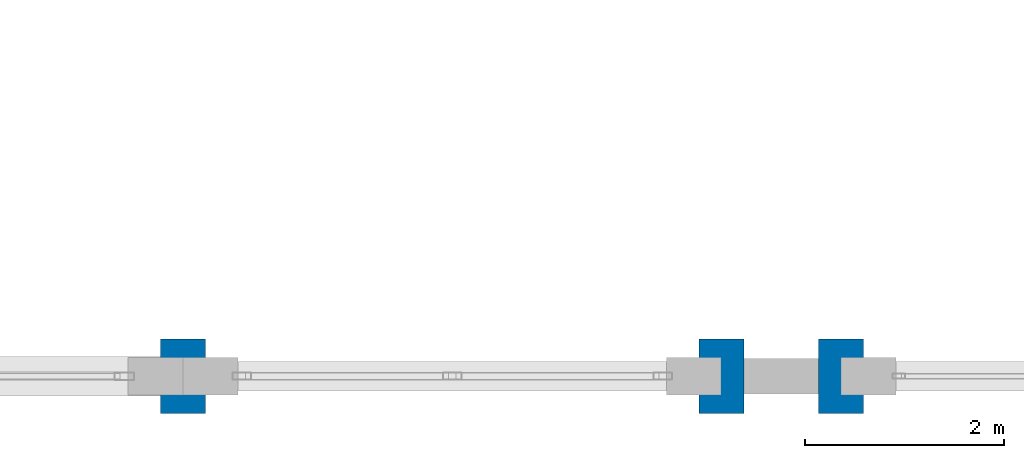
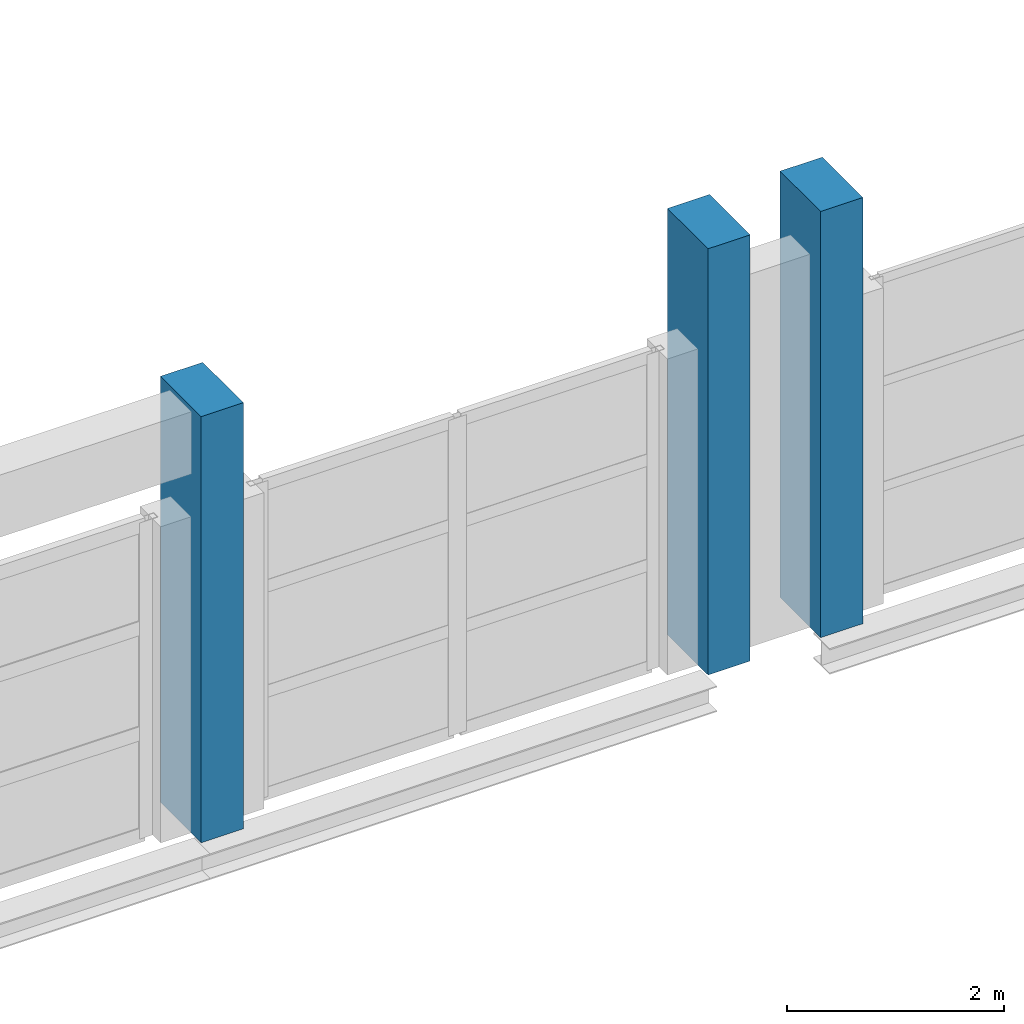
# One storey, part 5 of 147: 3 columns.
"""IFC4 building model written with IfcOpenShell, lengths in metres."""

from ifc_helpers import new_model, si_unit, direction, frame, origin, origin_2d, place, context, subcontext, project, spatial, rectangle, extrude, material, material_profile, profile_set, type_object, element, save


model = new_model("IFC4")

# Units and contexts
model_context = context("Model", 3, precision=1e-05, world=origin(), true_north=direction((0.0, 1.0)))
body_context = subcontext(model_context, "Body", "Model", "MODEL_VIEW")
ifc_project = project(units=[si_unit("LENGTHUNIT", "METRE"), si_unit("AREAUNIT", "SQUARE_METRE"), si_unit("VOLUMEUNIT", "CUBIC_METRE"), si_unit("PLANEANGLEUNIT", "RADIAN"), si_unit("MASSUNIT", "GRAM", prefix="KILO")], contexts=[model_context])

# Site, building, storey
site_placement = place(None, origin())
site = spatial("IfcSite", under=ifc_project, at=site_placement, CompositionType="ELEMENT")
building_placement = place(site_placement, origin())
building = spatial("IfcBuilding", under=site, at=building_placement, Name="Zilviju Railside Exhibition Hall", CompositionType="ELEMENT")
storey_placement = place(building_placement, frame((0.0, 0.0, 8.39990234375)))
storey = spatial("IfcBuildingStorey", under=building, at=storey_placement, Name="L03", CompositionType="ELEMENT", Elevation=8.39990234375)

# Columns
ifc_material = material(Name="Concrete C40/50", Category="concrete")
ifc_material_profile = material_profile(ifc_material, rectangle(XDim=0.449951171875, YDim=0.75, at=origin_2d()), Name="RC COL 450x750")
ifc_profile_set = profile_set([ifc_material_profile], Name="Concrete C40/50")
column_type = type_object("IfcColumnType", Name="PIL-RC-750x450", PredefinedType="PILASTER", material=ifc_profile_set)
for number, where, z_axis, x_axis, name in (
    (1, (120.0, 0.0, 0.0), (0.0, 0.0, 1.0), (1.0, 0.0, 0.0), "Structural Column L03 (120.0, 0.0)"),
    (2, (125.39990234375, 0.0, 0.0), (0.0, 0.0, 1.0), (1.0, 0.0, 0.0), "Structural Column L03 (125.4, 0.0)"),
    (3, (126.60009765625, 0.0, 0.0), (0.0, 0.0, 1.0), (1.0, 0.0, 0.0), "Structural Column L03 (126.6, 0.0)"),
):
    element("IfcColumn", number, at=place(storey_placement, frame(where, z_axis=z_axis, x_axis=x_axis)), inside=storey, type_object=column_type, Name=name, PredefinedType="PILASTER", context=body_context, shape_type="SweptSolid", body=[
        extrude(rectangle(XDim=0.449951171875, YDim=0.75, at=origin_2d()), origin(), (0.0, 0.0, 1.0), 4.800048828125),
    ])

save(model, "model.ifc")
